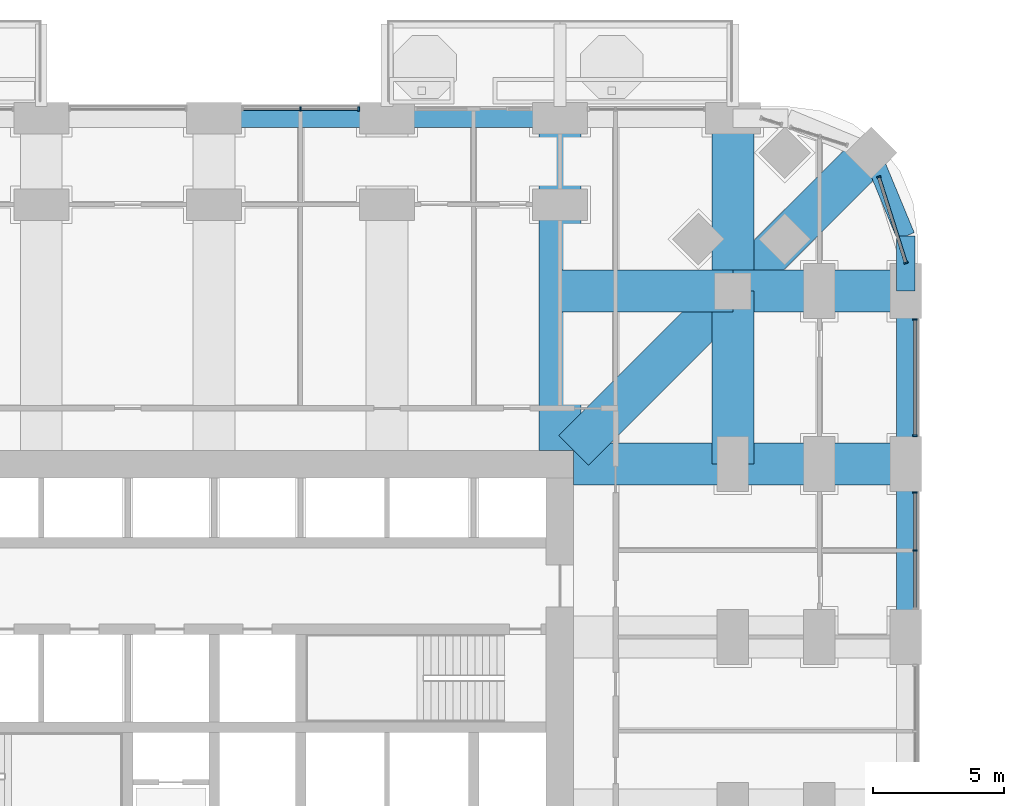
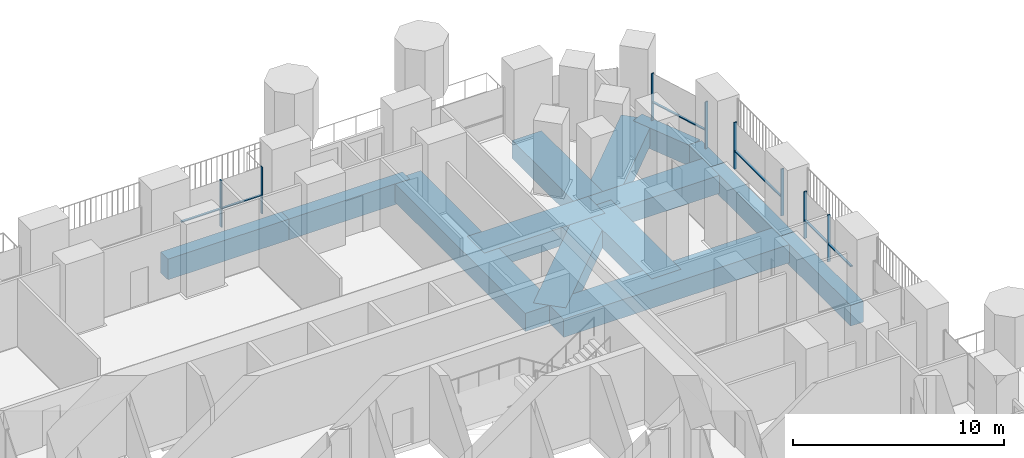
# One storey, part 9 of 27: 14 beams, 14 members, 4 elements without a shape of their own.
"""IFC4 building model written with IfcOpenShell, lengths in metres."""

from ifc_helpers import new_model, si_unit, direction, frame, origin, origin_2d, place, context, subcontext, project, spatial, rectangle, extrude, material, material_profile, profile_set, type_object, element, aggregate, save


model = new_model("IFC4")

# Units and contexts
model_context = context("Model", 3, precision=1e-05, world=origin(), true_north=direction((0.0, 1.0)))
body_context = subcontext(model_context, "Body", "Model", "MODEL_VIEW")
ifc_project = project(units=[si_unit("LENGTHUNIT", "METRE"), si_unit("AREAUNIT", "SQUARE_METRE"), si_unit("VOLUMEUNIT", "CUBIC_METRE"), si_unit("PLANEANGLEUNIT", "RADIAN"), si_unit("MASSUNIT", "GRAM", prefix="KILO")], contexts=[model_context])

# Site, building, storey
site_placement = place(None, origin())
site = spatial("IfcSite", under=ifc_project, at=site_placement, CompositionType="ELEMENT")
building_placement = place(site_placement, origin())
building = spatial("IfcBuilding", under=site, at=building_placement, Name="Cobogo Forest Laboratory Tower", CompositionType="ELEMENT")
storey_placement = place(building_placement, frame((0.0, 0.0, 54.89990234375)))
storey = spatial("IfcBuildingStorey", under=building, at=storey_placement, Name="L12", CompositionType="ELEMENT", Elevation=54.89990234375)

# Beams
ifc_material_1 = material(Name="Concrete HA-50 (C50/60)", Category="concrete")
ifc_material_profile_1 = material_profile(ifc_material_1, rectangle(XDim=1.60009765625, YDim=1.050048828125, at=origin_2d()), Name="RC 1600x1050")
ifc_profile_set_1 = profile_set([ifc_material_profile_1], Name="Concrete HA-50 (C50/60)")
beam_type_1 = type_object("IfcBeamType", Name="Laboratory floor wide beam 1600x1050", PredefinedType="BEAM", material=ifc_profile_set_1)
for number, where, z_axis, x_axis, name in (
    (1, (39.60009765625, 33.52490234375, -0.824951171875), (0.0, 1.0, 0.0), (-1.0, 0.0, 0.0), "RB8 R-7-N L12"),
    (2, (40.125, 33.0, -0.824951171875), (1.0, 0.0, 0.0), (0.0, 1.0, 0.0), "RB8 R-F-E L12"),
):
    element("IfcBeam", number, at=place(storey_placement, frame(where, z_axis=z_axis, x_axis=x_axis)), inside=storey, type_object=beam_type_1, Name=name, PredefinedType="BEAM", context=body_context, shape_type="SweptSolid", body=[
        extrude(rectangle(XDim=1.60009765625, YDim=1.050048828125, at=origin_2d()), origin(), (0.0, 0.0, 1.0), 12.675048828125),
    ])
beam_1_placement = place(storey_placement, frame((46.199951171875, 46.199951171875, -0.824951171875), z_axis=(0.0, -1.0, 0.0), x_axis=(1.0, 0.0, 0.0)))
element("IfcBeam", 3, at=beam_1_placement, inside=storey, type_object=beam_type_1, Name="RB8 G-NE-XF L12", PredefinedType="BEAM", context=body_context, shape_type="SweptSolid", body=[
    extrude(rectangle(XDim=1.60009765625, YDim=1.050048828125, at=origin_2d()), origin(), (0.0, 0.0, 1.0), 6.599853515625),
])
for number, where, z_axis, x_axis, name in (
    (4, (46.199951171875, 39.60009765625, -0.824951171875), (0.0, -1.0, 0.0), (1.0, 0.0, 0.0), "RB8 G-NE-XC L12"),
    (5, (52.800048828125, 39.60009765625, -0.824951171875), (-1.0, 0.0, 0.0), (0.0, -1.0, 0.0), "RB8 G-NE-YF L12"),
):
    element("IfcBeam", number, at=place(storey_placement, frame(where, z_axis=z_axis, x_axis=x_axis)), inside=storey, type_object=beam_type_1, Name=name, PredefinedType="BEAM", context=body_context, shape_type="SweptSolid", body=[
        extrude(rectangle(XDim=1.60009765625, YDim=1.050048828125, at=origin_2d()), origin(), (0.0, 0.0, 1.0), 6.60009765625),
    ])
beam_2_placement = place(storey_placement, frame((46.199951171875, 39.60009765625, -0.824951171875), z_axis=(-1.0, 0.0, 0.0), x_axis=(0.0, -1.0, 0.0)))
element("IfcBeam", 6, at=beam_2_placement, inside=storey, type_object=beam_type_1, Name="RB8 G-NE-YC L12", PredefinedType="BEAM", context=body_context, shape_type="SweptSolid", body=[
    extrude(rectangle(XDim=1.60009765625, YDim=1.050048828125, at=origin_2d()), origin(), (0.0, 0.0, 1.0), 6.599853515625),
])
beam_3_placement = place(storey_placement, frame((51.48193359375, 44.882080078125, -0.824951171875), z_axis=(-0.707106781187, -0.707106781187, 0.0), x_axis=(0.707106781187, -0.707106781187, 0.0)))
element("IfcBeam", 7, at=beam_3_placement, inside=storey, type_object=beam_type_1, Name="RB8 G-NE-D1 L12", PredefinedType="BEAM", context=body_context, shape_type="SweptSolid", body=[
    extrude(rectangle(XDim=1.60009765625, YDim=1.050048828125, at=origin_2d()), origin(), (0.0, 0.0, 1.0), 7.469970703125),
])
beam_4_placement = place(storey_placement, frame((46.199951171875, 39.60009765625, -0.824951171875), z_axis=(-0.707092572697, -0.70712098939, 0.0), x_axis=(0.70712098939, -0.707092572697, 0.0)))
element("IfcBeam", 8, at=beam_4_placement, inside=storey, type_object=beam_type_1, Name="RB8 G-NE-D2 L12", PredefinedType="BEAM", context=body_context, shape_type="SweptSolid", body=[
    extrude(rectangle(XDim=1.60009765625, YDim=1.050048828125, at=origin_2d()), origin(), (0.0, 0.0, 1.0), 8.591552734375),
])

# Curtain wall, members
ifc_material_2 = material(Name="Aluminium curtain wall", Category="aluminium")
curtain_wall_type = type_object("IfcCurtainWallType", Name="CW-1 unitised curtain wall, clear glazing, laboratory floors zones A and B", PredefinedType="USERDEFINED", material=ifc_material_2)
curtain_wall_1_placement = place(storey_placement, origin())
curtain_wall_1 = element("IfcCurtainWall", 9, at=curtain_wall_1_placement, inside=storey, type_object=curtain_wall_type, Name="Curtain wall 13 L12", ObjectType="UNITISED CURTAIN WALL", PredefinedType="USERDEFINED")
ifc_material_3 = material(Name="Aluminium mullion", Category="aluminium")
ifc_material_profile_2 = material_profile(ifc_material_3, rectangle(XDim=0.06005859375, YDim=0.159912109375, at=origin_2d()), Name="AL 60x160")
ifc_profile_set_2 = profile_set([ifc_material_profile_2], Name="Aluminium mullion")
member_type_1 = type_object("IfcMemberType", Name="MU-1 aluminium mullion 60x160", PredefinedType="MULLION", material=ifc_profile_set_2)
member_1_placement = place(storey_placement, frame((53.14990234375, 29.699951171875, 0.0), z_axis=(0.0, 0.0, 1.0), x_axis=(0.0, 1.0, 0.0)))
member_1 = element("IfcMember", 10, at=member_1_placement, type_object=member_type_1, Name="CW-1 mullion 2", PredefinedType="MULLION", context=body_context, shape_type="SweptSolid", body=[
    extrude(rectangle(XDim=0.06005859375, YDim=0.159912109375, at=origin_2d()), origin(), (0.0, 0.0, 1.0), 2.7001953125),
])
member_2_placement = place(storey_placement, frame((53.14990234375, 31.919921875, 0.0), z_axis=(0.0, 0.0, 1.0), x_axis=(0.0, 1.0, 0.0)))
member_2 = element("IfcMember", 11, at=member_2_placement, type_object=member_type_1, Name="CW-1 mullion 3", PredefinedType="MULLION", context=body_context, shape_type="SweptSolid", body=[
    extrude(rectangle(XDim=0.06005859375, YDim=0.159912109375, at=origin_2d()), origin(), (0.0, 0.0, 1.0), 2.7001953125),
])

curtain_wall_2_placement = place(storey_placement, origin())
curtain_wall_2 = element("IfcCurtainWall", 12, at=curtain_wall_2_placement, inside=storey, type_object=curtain_wall_type, Name="Curtain wall 14 L12", ObjectType="UNITISED CURTAIN WALL", PredefinedType="USERDEFINED")
member_3_placement = place(storey_placement, frame((53.14990234375, 34.080078125, 0.0), z_axis=(0.0, 0.0, 1.0), x_axis=(0.0, 1.0, 0.0)))
member_3 = element("IfcMember", 13, at=member_3_placement, type_object=member_type_1, Name="CW-1 mullion 1", PredefinedType="MULLION", context=body_context, shape_type="SweptSolid", body=[
    extrude(rectangle(XDim=0.06005859375, YDim=0.159912109375, at=origin_2d()), origin(), (0.0, 0.0, 1.0), 2.7001953125),
])
member_4_placement = place(storey_placement, frame((53.14990234375, 38.52001953125, 0.0), z_axis=(0.0, 0.0, 1.0), x_axis=(0.0, 1.0, 0.0)))
member_4 = element("IfcMember", 14, at=member_4_placement, type_object=member_type_1, Name="CW-1 mullion 2", PredefinedType="MULLION", context=body_context, shape_type="SweptSolid", body=[
    extrude(rectangle(XDim=0.06005859375, YDim=0.159912109375, at=origin_2d()), origin(), (0.0, 0.0, 1.0), 2.7001953125),
])

curtain_wall_3_placement = place(storey_placement, origin())
curtain_wall_3 = element("IfcCurtainWall", 15, at=curtain_wall_3_placement, inside=storey, type_object=curtain_wall_type, Name="Curtain wall 15 L12", ObjectType="UNITISED CURTAIN WALL", PredefinedType="USERDEFINED")
member_5_placement = place(storey_placement, frame((52.809326171875, 40.6787109375, 0.0), z_axis=(0.0, 0.0, 1.0), x_axis=(-0.30113535792, 0.95358140513, 0.0)))
member_5 = element("IfcMember", 16, at=member_5_placement, type_object=member_type_1, Name="CW-1 mullion 1", PredefinedType="MULLION", context=body_context, shape_type="SweptSolid", body=[
    extrude(rectangle(XDim=0.06005859375, YDim=0.159912109375, at=origin_2d()), origin(), (0.0, 0.0, 1.0), 2.7001953125),
])
member_6_placement = place(storey_placement, frame((51.772705078125, 43.961181640625, 0.0), z_axis=(0.0, 0.0, 1.0), x_axis=(-0.30113535792, 0.95358140513, 0.0)))
member_6 = element("IfcMember", 17, at=member_6_placement, type_object=member_type_1, Name="CW-1 mullion 2", PredefinedType="MULLION", context=body_context, shape_type="SweptSolid", body=[
    extrude(rectangle(XDim=0.06005859375, YDim=0.159912109375, at=origin_2d()), origin(), (0.0, 0.0, 1.0), 2.7001953125),
])

curtain_wall_4_placement = place(storey_placement, origin())
curtain_wall_4 = element("IfcCurtainWall", 18, at=curtain_wall_4_placement, inside=storey, type_object=curtain_wall_type, Name="Curtain wall 20 L12", ObjectType="UNITISED CURTAIN WALL", PredefinedType="USERDEFINED")
member_7_placement = place(storey_placement, frame((31.919921875, 46.550048828125, 0.0), z_axis=(0.0, 0.0, 1.0), x_axis=(-1.0, 0.0, 0.0)))
member_7 = element("IfcMember", 19, at=member_7_placement, type_object=member_type_1, Name="CW-1 mullion 1", PredefinedType="MULLION", context=body_context, shape_type="SweptSolid", body=[
    extrude(rectangle(XDim=0.06005859375, YDim=0.159912109375, at=origin_2d()), origin(), (0.0, 0.0, 1.0), 2.7001953125),
])
member_8_placement = place(storey_placement, frame((29.699951171875, 46.550048828125, 0.0), z_axis=(0.0, 0.0, 1.0), x_axis=(-1.0, 0.0, 0.0)))
member_8 = element("IfcMember", 20, at=member_8_placement, type_object=member_type_1, Name="CW-1 mullion 2", PredefinedType="MULLION", context=body_context, shape_type="SweptSolid", body=[
    extrude(rectangle(XDim=0.06005859375, YDim=0.159912109375, at=origin_2d()), origin(), (0.0, 0.0, 1.0), 2.7001953125),
])

# Beams
ifc_material_4 = material(Name="Concrete HA-40 (C40/50)", Category="concrete")
ifc_material_profile_3 = material_profile(ifc_material_4, rectangle(XDim=0.699951171875, YDim=1.199951171875, at=origin_2d()), Name="RC 700x1200")
ifc_profile_set_3 = profile_set([ifc_material_profile_3], Name="Concrete HA-40 (C40/50)")
beam_type_2 = type_object("IfcBeamType", Name="Perimeter edge beam 700x1200", PredefinedType="BEAM", material=ifc_profile_set_3)
for number, where, z_axis, x_axis, name in (
    (21, (52.800048828125, 26.39990234375, -0.89990234375), (0.0, 1.0, 0.0), (-1.0, 0.0, 0.0), "EB1 E-E4 L12"),
    (22, (52.800048828125, 33.0, -0.89990234375), (0.0, 1.0, 0.0), (-1.0, 0.0, 0.0), "EB1 E-E5 L12"),
    (23, (26.39990234375, 46.199951171875, -0.89990234375), (1.0, 0.0, 0.0), (0.0, 1.0, 0.0), "EB1 E-N4 L12"),
    (24, (33.0, 46.199951171875, -0.89990234375), (1.0, 0.0, 0.0), (0.0, 1.0, 0.0), "EB1 E-N5 L12"),
):
    element("IfcBeam", number, at=place(storey_placement, frame(where, z_axis=z_axis, x_axis=x_axis)), inside=storey, type_object=beam_type_2, Name=name, PredefinedType="BEAM", context=body_context, shape_type="SweptSolid", body=[
        extrude(rectangle(XDim=0.699951171875, YDim=1.199951171875, at=origin_2d()), origin(), (0.0, 0.0, 1.0), 6.60009765625),
    ])
beam_5_placement = place(storey_placement, frame((52.800048828125, 39.60009765625, -0.89990234375), z_axis=(0.0, 1.0, 0.0), x_axis=(-1.0, 0.0, 0.0)))
element("IfcBeam", 25, at=beam_5_placement, inside=storey, type_object=beam_type_2, Name="EB1 E-NEE1 L12", PredefinedType="BEAM", context=body_context, shape_type="SweptSolid", body=[
    extrude(rectangle(XDim=0.699951171875, YDim=1.199951171875, at=origin_2d()), origin(), (0.0, 0.0, 1.0), 2.099853515625),
])
beam_6_placement = place(storey_placement, frame((52.800048828125, 41.699951171875, -0.89990234375), z_axis=(-0.382691928466, 0.923876013265, 0.0), x_axis=(-0.923876013265, -0.382691928466, 0.0)))
element("IfcBeam", 26, at=beam_6_placement, inside=storey, type_object=beam_type_2, Name="EB1 E-NEE2 L12", PredefinedType="BEAM", context=body_context, shape_type="SweptSolid", body=[
    extrude(rectangle(XDim=0.699951171875, YDim=1.199951171875, at=origin_2d()), origin(), (0.0, 0.0, 1.0), 3.4443359375),
])

# Member
ifc_material_5 = material(Name="Aluminium transom", Category="aluminium")
ifc_material_profile_4 = material_profile(ifc_material_5, rectangle(XDim=0.1201171875, YDim=0.06005859375, at=origin_2d()), Name="AL 60x120")
ifc_profile_set_4 = profile_set([ifc_material_profile_4], Name="Aluminium transom")
member_type_2 = type_object("IfcMemberType", Name="TR-1 aluminium transom 60x120", PredefinedType="USERDEFINED", material=ifc_profile_set_4)
member_9_placement = place(storey_placement, frame((53.14990234375, 27.510009765625, 1.050048828125), z_axis=(0.0, 1.0, 0.0), x_axis=(-1.0, 0.0, 0.0)))
member_9 = element("IfcMember", 27, at=member_9_placement, type_object=member_type_2, Name="CW-1 transom 1.1", ObjectType="TRANSOM", PredefinedType="USERDEFINED", context=body_context, shape_type="SweptSolid", body=[
    extrude(rectangle(XDim=0.1201171875, YDim=0.06005859375, at=origin_2d()), origin(), (0.0, 0.0, 1.0), 2.159912109375),
])

member_10_placement = place(storey_placement, frame((53.14990234375, 29.72998046875, 1.050048828125), z_axis=(0.0, 1.0, 0.0), x_axis=(-1.0, 0.0, 0.0)))
member_10 = element("IfcMember", 28, at=member_10_placement, type_object=member_type_2, Name="CW-1 transom 2.1", ObjectType="TRANSOM", PredefinedType="USERDEFINED", context=body_context, shape_type="SweptSolid", body=[
    extrude(rectangle(XDim=0.1201171875, YDim=0.06005859375, at=origin_2d()), origin(), (0.0, 0.0, 1.0), 2.159912109375),
])

aggregate(curtain_wall_1, [member_1, member_2, member_9, member_10])

member_11_placement = place(storey_placement, frame((53.14990234375, 34.110107421875, 1.050048828125), z_axis=(0.0, 1.0, 0.0), x_axis=(-1.0, 0.0, 0.0)))
member_11 = element("IfcMember", 29, at=member_11_placement, type_object=member_type_2, Name="CW-1 transom 1.1", ObjectType="TRANSOM", PredefinedType="USERDEFINED", context=body_context, shape_type="SweptSolid", body=[
    extrude(rectangle(XDim=0.1201171875, YDim=0.06005859375, at=origin_2d()), origin(), (0.0, 0.0, 1.0), 4.3798828125),
])

aggregate(curtain_wall_2, [member_3, member_4, member_11])

member_12_placement = place(storey_placement, frame((52.80029296875, 40.707275390625, 1.050048828125), z_axis=(-0.301138276922, 0.953580483322, 0.0), x_axis=(-0.953580483322, -0.301138276922, 0.0)))
member_12 = element("IfcMember", 30, at=member_12_placement, type_object=member_type_2, Name="CW-1 transom 1.1", ObjectType="TRANSOM", PredefinedType="USERDEFINED", context=body_context, shape_type="SweptSolid", body=[
    extrude(rectangle(XDim=0.1201171875, YDim=0.06005859375, at=origin_2d()), origin(), (0.0, 0.0, 1.0), 3.38232421875),
])

aggregate(curtain_wall_3, [member_5, member_6, member_12])

member_13_placement = place(storey_placement, frame((31.889892578125, 46.550048828125, 1.050048828125), z_axis=(-1.0, 0.0, 0.0), x_axis=(0.0, -1.0, 0.0)))
member_13 = element("IfcMember", 31, at=member_13_placement, type_object=member_type_2, Name="CW-1 transom 1.1", ObjectType="TRANSOM", PredefinedType="USERDEFINED", context=body_context, shape_type="SweptSolid", body=[
    extrude(rectangle(XDim=0.1201171875, YDim=0.06005859375, at=origin_2d()), origin(), (0.0, 0.0, 1.0), 2.159912109375),
])

member_14_placement = place(storey_placement, frame((29.669921875, 46.550048828125, 1.050048828125), z_axis=(-1.0, 0.0, 0.0), x_axis=(0.0, -1.0, 0.0)))
member_14 = element("IfcMember", 32, at=member_14_placement, type_object=member_type_2, Name="CW-1 transom 2.1", ObjectType="TRANSOM", PredefinedType="USERDEFINED", context=body_context, shape_type="SweptSolid", body=[
    extrude(rectangle(XDim=0.1201171875, YDim=0.06005859375, at=origin_2d()), origin(), (0.0, 0.0, 1.0), 2.159912109375),
])

aggregate(curtain_wall_4, [member_7, member_8, member_13, member_14])

save(model, "model.ifc")
